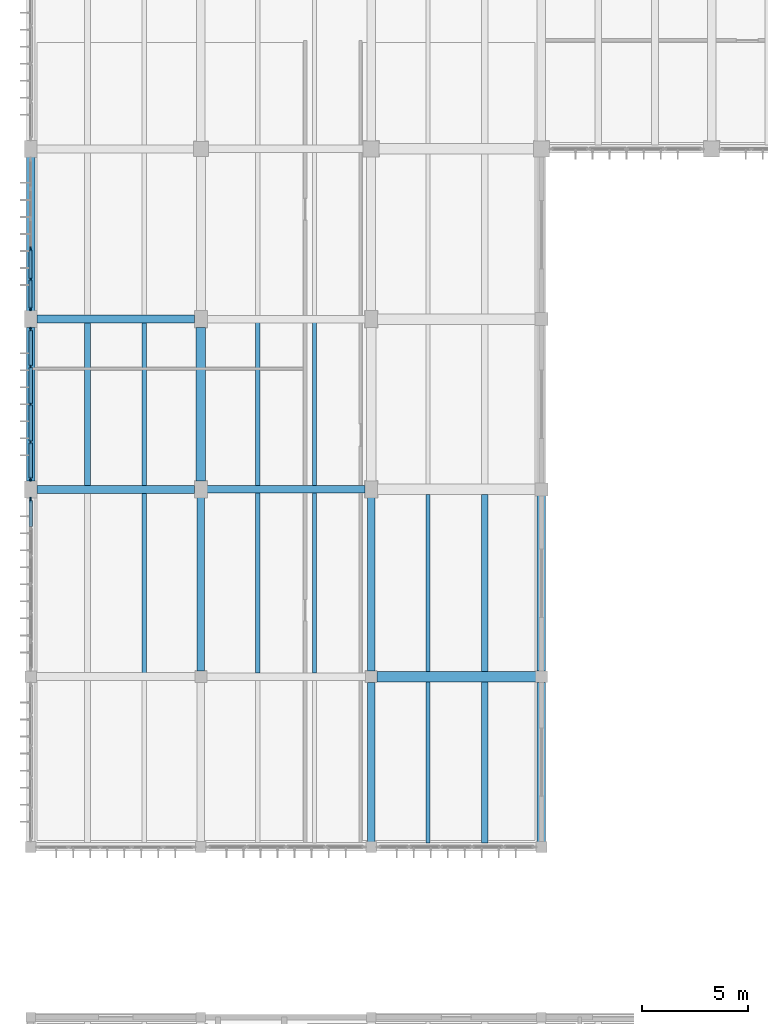
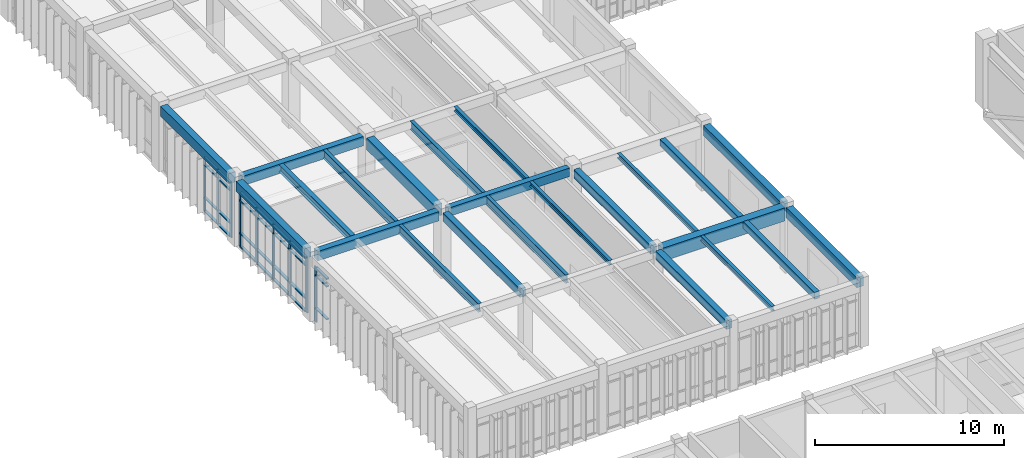
# One storey, part 8 of 79: 36 members, 23 beams, 3 elements without a shape of their own.
"""IFC4 building model written with IfcOpenShell, lengths in metres."""

from ifc_helpers import new_model, si_unit, direction, frame, origin, origin_2d, place, context, subcontext, project, spatial, rectangle, i_section, extrude, material, material_profile, profile_set, type_object, element, aggregate, save


model = new_model("IFC4")

# Units and contexts
model_context = context("Model", 3, precision=1e-05, world=origin(), true_north=direction((0.0, 1.0)))
body_context = subcontext(model_context, "Body", "Model", "MODEL_VIEW")
ifc_project = project(units=[si_unit("LENGTHUNIT", "METRE"), si_unit("AREAUNIT", "SQUARE_METRE"), si_unit("VOLUMEUNIT", "CUBIC_METRE"), si_unit("PLANEANGLEUNIT", "RADIAN"), si_unit("MASSUNIT", "GRAM", prefix="KILO")], contexts=[model_context])

# Site, building, storey
site_placement = place(None, origin())
site = spatial("IfcSite", under=ifc_project, at=site_placement, CompositionType="ELEMENT")
building_placement = place(site_placement, origin())
building = spatial("IfcBuilding", under=site, at=building_placement, Name="Tlaxcora Railside Police Headquarters", CompositionType="ELEMENT")
storey_placement = place(building_placement, frame((0.0, 0.0, 9.0)))
storey = spatial("IfcBuildingStorey", under=building, at=storey_placement, Name="L02", CompositionType="ELEMENT", Elevation=9.0)

# Curtain wall, member
ifc_material_1 = material(Name="Thermally broken low-E insulated glazing", Category="glass")
curtain_wall_type_1 = type_object("IfcCurtainWallType", Name="Unitised Curtain Wall Assembly CW-23", PredefinedType="NOTDEFINED", material=ifc_material_1)
curtain_wall_1_placement = place(storey_placement, origin())
curtain_wall_1 = element("IfcCurtainWall", 1, at=curtain_wall_1_placement, inside=storey, type_object=curtain_wall_type_1, Name="V5 L02 curtain wall 68", PredefinedType="NOTDEFINED")
ifc_material_2 = material(Name="Anodised aluminium framing", Category="aluminium")
ifc_material_profile_1 = material_profile(ifc_material_2, rectangle(XDim=0.080078125, YDim=0.219970703125, at=origin_2d()), Name="AL80X220")
ifc_profile_set_1 = profile_set([ifc_material_profile_1], Name="Anodised aluminium framing")
member_type_1 = type_object("IfcMemberType", Name="Curtain Wall Mullion CW-31", PredefinedType="MULLION", material=ifc_profile_set_1)
member_1_placement = place(storey_placement, frame((5.199951171875, 60.31005859375, 0.0), z_axis=(0.0, 0.0, 1.0), x_axis=(1.0, 0.0, 0.0)))
member_1 = element("IfcMember", 2, at=member_1_placement, type_object=member_type_1, Name="CW mullion 1", PredefinedType="MULLION", context=body_context, shape_type="SweptSolid", body=[
    extrude(rectangle(XDim=0.080078125, YDim=0.219970703125, at=origin_2d()), origin(), (0.0, 0.0, 1.0), 3.550048828125),
])

# Curtain wall, members
curtain_wall_type_2 = type_object("IfcCurtainWallType", Name="Unitised Curtain Wall Assembly CW-15", PredefinedType="NOTDEFINED", material=ifc_material_1)
curtain_wall_2_placement = place(storey_placement, origin())
curtain_wall_2 = element("IfcCurtainWall", 3, at=curtain_wall_2_placement, inside=storey, type_object=curtain_wall_type_2, Name="V5 L02 curtain wall 66", PredefinedType="NOTDEFINED")
ifc_material_profile_2 = material_profile(ifc_material_2, rectangle(XDim=0.074951171875, YDim=0.199951171875, at=origin_2d()), Name="AL75X200")
ifc_profile_set_2 = profile_set([ifc_material_profile_2], Name="Anodised aluminium framing")
member_type_2 = type_object("IfcMemberType", Name="Curtain Wall Mullion CW-58", PredefinedType="MULLION", material=ifc_profile_set_2)
member_2_placement = place(storey_placement, frame((5.199951171875, 72.090087890625, 0.0), z_axis=(0.0, 0.0, 1.0), x_axis=(1.0, 0.0, 0.0)))
member_2 = element("IfcMember", 4, at=member_2_placement, type_object=member_type_2, Name="CW mullion 4", PredefinedType="MULLION", context=body_context, shape_type="SweptSolid", body=[
    extrude(rectangle(XDim=0.074951171875, YDim=0.199951171875, at=origin_2d()), origin(), (0.0, 0.0, 1.0), 3.550048828125),
])
member_3_placement = place(storey_placement, frame((5.199951171875, 70.669921875, 0.0), z_axis=(0.0, 0.0, 1.0), x_axis=(1.0, 0.0, 0.0)))
member_3 = element("IfcMember", 5, at=member_3_placement, type_object=member_type_2, Name="CW mullion 5", PredefinedType="MULLION", context=body_context, shape_type="SweptSolid", body=[
    extrude(rectangle(XDim=0.074951171875, YDim=0.199951171875, at=origin_2d()), origin(), (0.0, 0.0, 1.0), 3.550048828125),
])
member_4_placement = place(storey_placement, frame((5.199951171875, 69.28759765625, 0.0), z_axis=(0.0, 0.0, 1.0), x_axis=(1.0, 0.0, 0.0)))
member_4 = element("IfcMember", 6, at=member_4_placement, type_object=member_type_2, Name="CW mullion 6", PredefinedType="MULLION", context=body_context, shape_type="SweptSolid", body=[
    extrude(rectangle(XDim=0.074951171875, YDim=0.199951171875, at=origin_2d()), origin(), (0.0, 0.0, 1.0), 3.550048828125),
])

curtain_wall_type_3 = type_object("IfcCurtainWallType", Name="Unitised Curtain Wall Assembly CW-83", PredefinedType="NOTDEFINED", material=ifc_material_1)
curtain_wall_3_placement = place(storey_placement, origin())
curtain_wall_3 = element("IfcCurtainWall", 7, at=curtain_wall_3_placement, inside=storey, type_object=curtain_wall_type_3, Name="V5 L02 curtain wall 67", PredefinedType="NOTDEFINED")
ifc_material_profile_3 = material_profile(ifc_material_2, rectangle(XDim=0.080078125, YDim=0.2099609375, at=origin_2d()), Name="AL80X210")
ifc_profile_set_3 = profile_set([ifc_material_profile_3], Name="Anodised aluminium framing")
member_type_3 = type_object("IfcMemberType", Name="Curtain Wall Mullion CW-76", PredefinedType="MULLION", material=ifc_profile_set_3)
member_5_placement = place(storey_placement, frame((5.199951171875, 68.31005859375, 0.0), z_axis=(0.0, 0.0, 1.0), x_axis=(1.0, 0.0, 0.0)))
member_5 = element("IfcMember", 8, at=member_5_placement, type_object=member_type_3, Name="CW mullion 1", PredefinedType="MULLION", context=body_context, shape_type="SweptSolid", body=[
    extrude(rectangle(XDim=0.080078125, YDim=0.2099609375, at=origin_2d()), origin(), (0.0, 0.0, 1.0), 3.550048828125),
])
member_6_placement = place(storey_placement, frame((5.199951171875, 66.574951171875, 0.0), z_axis=(0.0, 0.0, 1.0), x_axis=(1.0, 0.0, 0.0)))
member_6 = element("IfcMember", 9, at=member_6_placement, type_object=member_type_3, Name="CW mullion 2", PredefinedType="MULLION", context=body_context, shape_type="SweptSolid", body=[
    extrude(rectangle(XDim=0.080078125, YDim=0.2099609375, at=origin_2d()), origin(), (0.0, 0.0, 1.0), 3.550048828125),
])
member_7_placement = place(storey_placement, frame((5.199951171875, 64.800048828125, 0.0), z_axis=(0.0, 0.0, 1.0), x_axis=(1.0, 0.0, 0.0)))
member_7 = element("IfcMember", 10, at=member_7_placement, type_object=member_type_3, Name="CW mullion 3", PredefinedType="MULLION", context=body_context, shape_type="SweptSolid", body=[
    extrude(rectangle(XDim=0.080078125, YDim=0.2099609375, at=origin_2d()), origin(), (0.0, 0.0, 1.0), 3.550048828125),
])
member_8_placement = place(storey_placement, frame((5.199951171875, 63.02490234375, 0.0), z_axis=(0.0, 0.0, 1.0), x_axis=(1.0, 0.0, 0.0)))
member_8 = element("IfcMember", 11, at=member_8_placement, type_object=member_type_3, Name="CW mullion 4", PredefinedType="MULLION", context=body_context, shape_type="SweptSolid", body=[
    extrude(rectangle(XDim=0.080078125, YDim=0.2099609375, at=origin_2d()), origin(), (0.0, 0.0, 1.0), 3.550048828125),
])
member_9_placement = place(storey_placement, frame((5.199951171875, 61.2900390625, 0.0), z_axis=(0.0, 0.0, 1.0), x_axis=(1.0, 0.0, 0.0)))
member_9 = element("IfcMember", 12, at=member_9_placement, type_object=member_type_3, Name="CW mullion 5", PredefinedType="MULLION", context=body_context, shape_type="SweptSolid", body=[
    extrude(rectangle(XDim=0.080078125, YDim=0.2099609375, at=origin_2d()), origin(), (0.0, 0.0, 1.0), 3.550048828125),
])

# Member
ifc_material_profile_4 = material_profile(ifc_material_2, rectangle(XDim=0.14990234375, YDim=0.074951171875, at=origin_2d()), Name="AL75X150")
ifc_profile_set_4 = profile_set([ifc_material_profile_4], Name="Anodised aluminium framing")
member_type_4 = type_object("IfcMemberType", Name="Curtain Wall Transom CW-28", PredefinedType="USERDEFINED", material=ifc_profile_set_4)
member_10_placement = place(storey_placement, frame((5.199951171875, 72.052490234375, 0.03759765625), z_axis=(0.0, -1.0, 0.0), x_axis=(1.0, 0.0, 0.0)))
member_10 = element("IfcMember", 13, at=member_10_placement, type_object=member_type_4, Name="CW transom 4.1", ObjectType="TRANSOM", PredefinedType="USERDEFINED", context=body_context, shape_type="SweptSolid", body=[
    extrude(rectangle(XDim=0.14990234375, YDim=0.074951171875, at=origin_2d()), origin(), (0.0, 0.0, 1.0), 1.344970703125),
])

member_11_placement = place(storey_placement, frame((5.199951171875, 72.052490234375, 0.89990234375), z_axis=(0.0, -1.0, 0.0), x_axis=(1.0, 0.0, 0.0)))
member_11 = element("IfcMember", 14, at=member_11_placement, type_object=member_type_4, Name="CW transom 4.2", ObjectType="TRANSOM", PredefinedType="USERDEFINED", context=body_context, shape_type="SweptSolid", body=[
    extrude(rectangle(XDim=0.14990234375, YDim=0.074951171875, at=origin_2d()), origin(), (0.0, 0.0, 1.0), 1.344970703125),
])

member_12_placement = place(storey_placement, frame((5.199951171875, 72.052490234375, 3.02001953125), z_axis=(0.0, -1.0, 0.0), x_axis=(1.0, 0.0, 0.0)))
member_12 = element("IfcMember", 15, at=member_12_placement, type_object=member_type_4, Name="CW transom 4.3", ObjectType="TRANSOM", PredefinedType="USERDEFINED", context=body_context, shape_type="SweptSolid", body=[
    extrude(rectangle(XDim=0.14990234375, YDim=0.074951171875, at=origin_2d()), origin(), (0.0, 0.0, 1.0), 1.344970703125),
])

member_13_placement = place(storey_placement, frame((5.199951171875, 72.052490234375, 3.512451171875), z_axis=(0.0, -1.0, 0.0), x_axis=(1.0, 0.0, 0.0)))
member_13 = element("IfcMember", 16, at=member_13_placement, type_object=member_type_4, Name="CW transom 4.4", ObjectType="TRANSOM", PredefinedType="USERDEFINED", context=body_context, shape_type="SweptSolid", body=[
    extrude(rectangle(XDim=0.14990234375, YDim=0.074951171875, at=origin_2d()), origin(), (0.0, 0.0, 1.0), 1.344970703125),
])

member_14_placement = place(storey_placement, frame((5.199951171875, 70.632568359375, 0.03759765625), z_axis=(0.0, -1.0, 0.0), x_axis=(1.0, 0.0, 0.0)))
member_14 = element("IfcMember", 17, at=member_14_placement, type_object=member_type_4, Name="CW transom 5.1", ObjectType="TRANSOM", PredefinedType="USERDEFINED", context=body_context, shape_type="SweptSolid", body=[
    extrude(rectangle(XDim=0.14990234375, YDim=0.074951171875, at=origin_2d()), origin(), (0.0, 0.0, 1.0), 1.3076171875),
])

member_15_placement = place(storey_placement, frame((5.199951171875, 70.632568359375, 0.89990234375), z_axis=(0.0, -1.0, 0.0), x_axis=(1.0, 0.0, 0.0)))
member_15 = element("IfcMember", 18, at=member_15_placement, type_object=member_type_4, Name="CW transom 5.2", ObjectType="TRANSOM", PredefinedType="USERDEFINED", context=body_context, shape_type="SweptSolid", body=[
    extrude(rectangle(XDim=0.14990234375, YDim=0.074951171875, at=origin_2d()), origin(), (0.0, 0.0, 1.0), 1.3076171875),
])

member_16_placement = place(storey_placement, frame((5.199951171875, 70.632568359375, 3.02001953125), z_axis=(0.0, -1.0, 0.0), x_axis=(1.0, 0.0, 0.0)))
member_16 = element("IfcMember", 19, at=member_16_placement, type_object=member_type_4, Name="CW transom 5.3", ObjectType="TRANSOM", PredefinedType="USERDEFINED", context=body_context, shape_type="SweptSolid", body=[
    extrude(rectangle(XDim=0.14990234375, YDim=0.074951171875, at=origin_2d()), origin(), (0.0, 0.0, 1.0), 1.3076171875),
])

member_17_placement = place(storey_placement, frame((5.199951171875, 70.632568359375, 3.512451171875), z_axis=(0.0, -1.0, 0.0), x_axis=(1.0, 0.0, 0.0)))
member_17 = element("IfcMember", 20, at=member_17_placement, type_object=member_type_4, Name="CW transom 5.4", ObjectType="TRANSOM", PredefinedType="USERDEFINED", context=body_context, shape_type="SweptSolid", body=[
    extrude(rectangle(XDim=0.14990234375, YDim=0.074951171875, at=origin_2d()), origin(), (0.0, 0.0, 1.0), 1.3076171875),
])

aggregate(curtain_wall_2, [member_2, member_3, member_4, member_10, member_11, member_12, member_13, member_14, member_15, member_16, member_17])

ifc_material_profile_5 = material_profile(ifc_material_2, rectangle(XDim=0.1650390625, YDim=0.080078125, at=origin_2d()), Name="AL80X165")
ifc_profile_set_5 = profile_set([ifc_material_profile_5], Name="Anodised aluminium framing")
member_type_5 = type_object("IfcMemberType", Name="Curtain Wall Transom CW-62", PredefinedType="USERDEFINED", material=ifc_profile_set_5)
member_18_placement = place(storey_placement, frame((5.199951171875, 60.27001953125, 0.89990234375), z_axis=(0.0, -1.0, 0.0), x_axis=(1.0, 0.0, 0.0)))
member_18 = element("IfcMember", 21, at=member_18_placement, type_object=member_type_5, Name="CW transom 1.2", ObjectType="TRANSOM", PredefinedType="USERDEFINED", context=body_context, shape_type="SweptSolid", body=[
    extrude(rectangle(XDim=0.1650390625, YDim=0.080078125, at=origin_2d()), origin(), (0.0, 0.0, 1.0), 1.217529296875),
])

member_19_placement = place(storey_placement, frame((5.199951171875, 60.27001953125, 3.02001953125), z_axis=(0.0, -1.0, 0.0), x_axis=(1.0, 0.0, 0.0)))
member_19 = element("IfcMember", 22, at=member_19_placement, type_object=member_type_5, Name="CW transom 1.3", ObjectType="TRANSOM", PredefinedType="USERDEFINED", context=body_context, shape_type="SweptSolid", body=[
    extrude(rectangle(XDim=0.1650390625, YDim=0.080078125, at=origin_2d()), origin(), (0.0, 0.0, 1.0), 1.217529296875),
])

member_20_placement = place(storey_placement, frame((5.199951171875, 60.27001953125, 3.510009765625), z_axis=(0.0, -1.0, 0.0), x_axis=(1.0, 0.0, 0.0)))
member_20 = element("IfcMember", 23, at=member_20_placement, type_object=member_type_5, Name="CW transom 1.4", ObjectType="TRANSOM", PredefinedType="USERDEFINED", context=body_context, shape_type="SweptSolid", body=[
    extrude(rectangle(XDim=0.1650390625, YDim=0.080078125, at=origin_2d()), origin(), (0.0, 0.0, 1.0), 1.217529296875),
])

aggregate(curtain_wall_1, [member_1, member_18, member_19, member_20])

ifc_material_profile_6 = material_profile(ifc_material_2, rectangle(XDim=0.159912109375, YDim=0.080078125, at=origin_2d()), Name="AL80X160")
ifc_profile_set_6 = profile_set([ifc_material_profile_6], Name="Anodised aluminium framing")
member_type_6 = type_object("IfcMemberType", Name="Curtain Wall Transom CW-82", PredefinedType="USERDEFINED", material=ifc_profile_set_6)
member_21_placement = place(storey_placement, frame((5.199951171875, 68.27001953125, 0.0400390625), z_axis=(0.0, -1.0, 0.0), x_axis=(1.0, 0.0, 0.0)))
member_21 = element("IfcMember", 24, at=member_21_placement, type_object=member_type_6, Name="CW transom 1.1", ObjectType="TRANSOM", PredefinedType="USERDEFINED", context=body_context, shape_type="SweptSolid", body=[
    extrude(rectangle(XDim=0.159912109375, YDim=0.080078125, at=origin_2d()), origin(), (0.0, 0.0, 1.0), 1.655029296875),
])

member_22_placement = place(storey_placement, frame((5.199951171875, 68.27001953125, 0.89990234375), z_axis=(0.0, -1.0, 0.0), x_axis=(1.0, 0.0, 0.0)))
member_22 = element("IfcMember", 25, at=member_22_placement, type_object=member_type_6, Name="CW transom 1.2", ObjectType="TRANSOM", PredefinedType="USERDEFINED", context=body_context, shape_type="SweptSolid", body=[
    extrude(rectangle(XDim=0.159912109375, YDim=0.080078125, at=origin_2d()), origin(), (0.0, 0.0, 1.0), 1.655029296875),
])

member_23_placement = place(storey_placement, frame((5.199951171875, 68.27001953125, 3.02001953125), z_axis=(0.0, -1.0, 0.0), x_axis=(1.0, 0.0, 0.0)))
member_23 = element("IfcMember", 26, at=member_23_placement, type_object=member_type_6, Name="CW transom 1.3", ObjectType="TRANSOM", PredefinedType="USERDEFINED", context=body_context, shape_type="SweptSolid", body=[
    extrude(rectangle(XDim=0.159912109375, YDim=0.080078125, at=origin_2d()), origin(), (0.0, 0.0, 1.0), 1.655029296875),
])

member_24_placement = place(storey_placement, frame((5.199951171875, 68.27001953125, 3.510009765625), z_axis=(0.0, -1.0, 0.0), x_axis=(1.0, 0.0, 0.0)))
member_24 = element("IfcMember", 27, at=member_24_placement, type_object=member_type_6, Name="CW transom 1.4", ObjectType="TRANSOM", PredefinedType="USERDEFINED", context=body_context, shape_type="SweptSolid", body=[
    extrude(rectangle(XDim=0.159912109375, YDim=0.080078125, at=origin_2d()), origin(), (0.0, 0.0, 1.0), 1.655029296875),
])

member_25_placement = place(storey_placement, frame((5.199951171875, 66.534912109375, 0.0400390625), z_axis=(0.0, -1.0, 0.0), x_axis=(1.0, 0.0, 0.0)))
member_25 = element("IfcMember", 28, at=member_25_placement, type_object=member_type_6, Name="CW transom 2.1", ObjectType="TRANSOM", PredefinedType="USERDEFINED", context=body_context, shape_type="SweptSolid", body=[
    extrude(rectangle(XDim=0.159912109375, YDim=0.080078125, at=origin_2d()), origin(), (0.0, 0.0, 1.0), 1.69482421875),
])

member_26_placement = place(storey_placement, frame((5.199951171875, 66.534912109375, 0.89990234375), z_axis=(0.0, -1.0, 0.0), x_axis=(1.0, 0.0, 0.0)))
member_26 = element("IfcMember", 29, at=member_26_placement, type_object=member_type_6, Name="CW transom 2.2", ObjectType="TRANSOM", PredefinedType="USERDEFINED", context=body_context, shape_type="SweptSolid", body=[
    extrude(rectangle(XDim=0.159912109375, YDim=0.080078125, at=origin_2d()), origin(), (0.0, 0.0, 1.0), 1.69482421875),
])

member_27_placement = place(storey_placement, frame((5.199951171875, 66.534912109375, 3.02001953125), z_axis=(0.0, -1.0, 0.0), x_axis=(1.0, 0.0, 0.0)))
member_27 = element("IfcMember", 30, at=member_27_placement, type_object=member_type_6, Name="CW transom 2.3", ObjectType="TRANSOM", PredefinedType="USERDEFINED", context=body_context, shape_type="SweptSolid", body=[
    extrude(rectangle(XDim=0.159912109375, YDim=0.080078125, at=origin_2d()), origin(), (0.0, 0.0, 1.0), 1.69482421875),
])

member_28_placement = place(storey_placement, frame((5.199951171875, 66.534912109375, 3.510009765625), z_axis=(0.0, -1.0, 0.0), x_axis=(1.0, 0.0, 0.0)))
member_28 = element("IfcMember", 31, at=member_28_placement, type_object=member_type_6, Name="CW transom 2.4", ObjectType="TRANSOM", PredefinedType="USERDEFINED", context=body_context, shape_type="SweptSolid", body=[
    extrude(rectangle(XDim=0.159912109375, YDim=0.080078125, at=origin_2d()), origin(), (0.0, 0.0, 1.0), 1.69482421875),
])

member_29_placement = place(storey_placement, frame((5.199951171875, 64.760009765625, 0.0400390625), z_axis=(0.0, -1.0, 0.0), x_axis=(1.0, 0.0, 0.0)))
member_29 = element("IfcMember", 32, at=member_29_placement, type_object=member_type_6, Name="CW transom 3.1", ObjectType="TRANSOM", PredefinedType="USERDEFINED", context=body_context, shape_type="SweptSolid", body=[
    extrude(rectangle(XDim=0.159912109375, YDim=0.080078125, at=origin_2d()), origin(), (0.0, 0.0, 1.0), 1.695068359375),
])

member_30_placement = place(storey_placement, frame((5.199951171875, 64.760009765625, 0.89990234375), z_axis=(0.0, -1.0, 0.0), x_axis=(1.0, 0.0, 0.0)))
member_30 = element("IfcMember", 33, at=member_30_placement, type_object=member_type_6, Name="CW transom 3.2", ObjectType="TRANSOM", PredefinedType="USERDEFINED", context=body_context, shape_type="SweptSolid", body=[
    extrude(rectangle(XDim=0.159912109375, YDim=0.080078125, at=origin_2d()), origin(), (0.0, 0.0, 1.0), 1.695068359375),
])

member_31_placement = place(storey_placement, frame((5.199951171875, 64.760009765625, 3.02001953125), z_axis=(0.0, -1.0, 0.0), x_axis=(1.0, 0.0, 0.0)))
member_31 = element("IfcMember", 34, at=member_31_placement, type_object=member_type_6, Name="CW transom 3.3", ObjectType="TRANSOM", PredefinedType="USERDEFINED", context=body_context, shape_type="SweptSolid", body=[
    extrude(rectangle(XDim=0.159912109375, YDim=0.080078125, at=origin_2d()), origin(), (0.0, 0.0, 1.0), 1.695068359375),
])

member_32_placement = place(storey_placement, frame((5.199951171875, 64.760009765625, 3.510009765625), z_axis=(0.0, -1.0, 0.0), x_axis=(1.0, 0.0, 0.0)))
member_32 = element("IfcMember", 35, at=member_32_placement, type_object=member_type_6, Name="CW transom 3.4", ObjectType="TRANSOM", PredefinedType="USERDEFINED", context=body_context, shape_type="SweptSolid", body=[
    extrude(rectangle(XDim=0.159912109375, YDim=0.080078125, at=origin_2d()), origin(), (0.0, 0.0, 1.0), 1.695068359375),
])

member_33_placement = place(storey_placement, frame((5.199951171875, 62.985107421875, 0.0400390625), z_axis=(0.0, -1.0, 0.0), x_axis=(1.0, 0.0, 0.0)))
member_33 = element("IfcMember", 36, at=member_33_placement, type_object=member_type_6, Name="CW transom 4.1", ObjectType="TRANSOM", PredefinedType="USERDEFINED", context=body_context, shape_type="SweptSolid", body=[
    extrude(rectangle(XDim=0.159912109375, YDim=0.080078125, at=origin_2d()), origin(), (0.0, 0.0, 1.0), 1.655029296875),
])

member_34_placement = place(storey_placement, frame((5.199951171875, 62.985107421875, 0.89990234375), z_axis=(0.0, -1.0, 0.0), x_axis=(1.0, 0.0, 0.0)))
member_34 = element("IfcMember", 37, at=member_34_placement, type_object=member_type_6, Name="CW transom 4.2", ObjectType="TRANSOM", PredefinedType="USERDEFINED", context=body_context, shape_type="SweptSolid", body=[
    extrude(rectangle(XDim=0.159912109375, YDim=0.080078125, at=origin_2d()), origin(), (0.0, 0.0, 1.0), 1.655029296875),
])

member_35_placement = place(storey_placement, frame((5.199951171875, 62.985107421875, 3.02001953125), z_axis=(0.0, -1.0, 0.0), x_axis=(1.0, 0.0, 0.0)))
member_35 = element("IfcMember", 38, at=member_35_placement, type_object=member_type_6, Name="CW transom 4.3", ObjectType="TRANSOM", PredefinedType="USERDEFINED", context=body_context, shape_type="SweptSolid", body=[
    extrude(rectangle(XDim=0.159912109375, YDim=0.080078125, at=origin_2d()), origin(), (0.0, 0.0, 1.0), 1.655029296875),
])

member_36_placement = place(storey_placement, frame((5.199951171875, 62.985107421875, 3.510009765625), z_axis=(0.0, -1.0, 0.0), x_axis=(1.0, 0.0, 0.0)))
member_36 = element("IfcMember", 39, at=member_36_placement, type_object=member_type_6, Name="CW transom 4.4", ObjectType="TRANSOM", PredefinedType="USERDEFINED", context=body_context, shape_type="SweptSolid", body=[
    extrude(rectangle(XDim=0.159912109375, YDim=0.080078125, at=origin_2d()), origin(), (0.0, 0.0, 1.0), 1.655029296875),
])

aggregate(curtain_wall_3, [member_5, member_6, member_7, member_8, member_9, member_21, member_22, member_23, member_24, member_25, member_26, member_27, member_28, member_29, member_30, member_31, member_32, member_33, member_34, member_35, member_36])

# Beams
ifc_material_3 = material(Name="Concrete C40/50", Category="concrete")
ifc_material_profile_7 = material_profile(ifc_material_3, rectangle(XDim=0.39990234375, YDim=0.64990234375, at=origin_2d()), Name="RC400X650")
ifc_profile_set_7 = profile_set([ifc_material_profile_7], Name="Concrete C40/50")
beam_type_1 = type_object("IfcBeamType", Name="Perimeter Spandrel Beam BM-46", PredefinedType="SPANDREL", material=ifc_profile_set_7)
for number, where, z_axis, x_axis, name in (
    (40, (5.199951171875, 61.18994140625, 3.89501953125), (0.0, 1.0, 0.0), (-1.0, 0.0, 0.0), "V5 L02 Y-girder X=5.2"),
    (41, (5.199951171875, 69.18994140625, 3.89501953125), (0.0, 1.0, 0.0), (-1.0, 0.0, 0.0), "V5 L02 Y-girder X=5.2"),
):
    element("IfcBeam", number, at=place(storey_placement, frame(where, z_axis=z_axis, x_axis=x_axis)), inside=storey, type_object=beam_type_1, Name=name, PredefinedType="SPANDREL", context=body_context, shape_type="SweptSolid", body=[
        extrude(rectangle(XDim=0.39990234375, YDim=0.64990234375, at=origin_2d()), origin(), (0.0, 0.0, 1.0), 7.219970703125),
    ])
beam_1_placement = place(storey_placement, frame((29.199951171875, 44.239990234375, 3.89501953125), z_axis=(0.0, 1.0, 0.0), x_axis=(-1.0, 0.0, 0.0)))
element("IfcBeam", 42, at=beam_1_placement, inside=storey, type_object=beam_type_1, Name="V5 L02 Y-girder X=29.2", PredefinedType="SPANDREL", context=body_context, shape_type="SweptSolid", body=[
    extrude(rectangle(XDim=0.39990234375, YDim=0.64990234375, at=origin_2d()), origin(), (0.0, 0.0, 1.0), 7.4951171875),
])
beam_2_placement = place(storey_placement, frame((29.199951171875, 52.264892578125, 3.89501953125), z_axis=(0.0, 1.0, 0.0), x_axis=(-1.0, 0.0, 0.0)))
element("IfcBeam", 43, at=beam_2_placement, inside=storey, type_object=beam_type_1, Name="V5 L02 Y-girder X=29.2", PredefinedType="SPANDREL", context=body_context, shape_type="SweptSolid", body=[
    extrude(rectangle(XDim=0.39990234375, YDim=0.64990234375, at=origin_2d()), origin(), (0.0, 0.0, 1.0), 8.2451171875),
])
ifc_material_profile_8 = material_profile(ifc_material_3, rectangle(XDim=0.3798828125, YDim=0.60009765625, at=origin_2d()), Name="RC380X600")
ifc_profile_set_8 = profile_set([ifc_material_profile_8], Name="Concrete C40/50")
beam_type_2 = type_object("IfcBeamType", Name="Primary Frame Girder BM-22", PredefinedType="BEAM", material=ifc_profile_set_8)
for number, where, z_axis, x_axis, name in (
    (44, (5.489990234375, 60.800048828125, 3.919921875), (1.0, 0.0, 0.0), (0.0, 1.0, 0.0), "V5 L02 X-girder Y=60.8"),
    (45, (5.489990234375, 68.800048828125, 3.919921875), (1.0, 0.0, 0.0), (0.0, 1.0, 0.0), "V5 L02 X-girder Y=68.8"),
):
    element("IfcBeam", number, at=place(storey_placement, frame(where, z_axis=z_axis, x_axis=x_axis)), inside=storey, type_object=beam_type_2, Name=name, PredefinedType="BEAM", context=body_context, shape_type="SweptSolid", body=[
        extrude(rectangle(XDim=0.3798828125, YDim=0.60009765625, at=origin_2d()), origin(), (0.0, 0.0, 1.0), 7.419921875),
    ])
ifc_material_profile_9 = material_profile(ifc_material_3, rectangle(XDim=0.35009765625, YDim=0.550048828125, at=origin_2d()), Name="RC350X550")
ifc_profile_set_9 = profile_set([ifc_material_profile_9], Name="Concrete C40/50")
beam_type_3 = type_object("IfcBeamType", Name="Primary Frame Girder BM-39", PredefinedType="BEAM", material=ifc_profile_set_9)
beam_3_placement = place(storey_placement, frame((13.489990234375, 60.800048828125, 3.945068359375), z_axis=(1.0, 0.0, 0.0), x_axis=(0.0, 1.0, 0.0)))
element("IfcBeam", 46, at=beam_3_placement, inside=storey, type_object=beam_type_3, Name="V5 L02 X-girder Y=60.8", PredefinedType="BEAM", context=body_context, shape_type="SweptSolid", body=[
    extrude(rectangle(XDim=0.35009765625, YDim=0.550048828125, at=origin_2d()), origin(), (0.0, 0.0, 1.0), 7.419921875),
])
beam_4_placement = place(storey_placement, frame((13.199951171875, 52.264892578125, 3.945068359375), z_axis=(0.0, 1.0, 0.0), x_axis=(-1.0, 0.0, 0.0)))
element("IfcBeam", 47, at=beam_4_placement, inside=storey, type_object=beam_type_3, Name="V5 L02 Y-girder X=13.2", PredefinedType="BEAM", context=body_context, shape_type="SweptSolid", body=[
    extrude(rectangle(XDim=0.35009765625, YDim=0.550048828125, at=origin_2d()), origin(), (0.0, 0.0, 1.0), 8.14501953125),
])
beam_5_placement = place(storey_placement, frame((21.199951171875, 44.239990234375, 3.945068359375), z_axis=(0.0, 1.0, 0.0), x_axis=(-1.0, 0.0, 0.0)))
element("IfcBeam", 48, at=beam_5_placement, inside=storey, type_object=beam_type_3, Name="V5 L02 Y-girder X=21.2", PredefinedType="BEAM", context=body_context, shape_type="SweptSolid", body=[
    extrude(rectangle(XDim=0.35009765625, YDim=0.550048828125, at=origin_2d()), origin(), (0.0, 0.0, 1.0), 7.4951171875),
])
beam_6_placement = place(storey_placement, frame((21.199951171875, 52.264892578125, 3.945068359375), z_axis=(0.0, 1.0, 0.0), x_axis=(-1.0, 0.0, 0.0)))
element("IfcBeam", 49, at=beam_6_placement, inside=storey, type_object=beam_type_3, Name="V5 L02 Y-girder X=21.2", PredefinedType="BEAM", context=body_context, shape_type="SweptSolid", body=[
    extrude(rectangle(XDim=0.35009765625, YDim=0.550048828125, at=origin_2d()), origin(), (0.0, 0.0, 1.0), 8.14501953125),
])
ifc_material_profile_10 = material_profile(ifc_material_3, rectangle(XDim=0.5, YDim=0.85009765625, at=origin_2d()), Name="RC500X850")
ifc_profile_set_10 = profile_set([ifc_material_profile_10], Name="Concrete C40/50")
beam_type_4 = type_object("IfcBeamType", Name="Primary Frame Girder BM-64", PredefinedType="BEAM", material=ifc_profile_set_10)
beam_7_placement = place(storey_placement, frame((21.465087890625, 52.0, 3.794921875), z_axis=(1.0, 0.0, 0.0), x_axis=(0.0, 1.0, 0.0)))
element("IfcBeam", 50, at=beam_7_placement, inside=storey, type_object=beam_type_4, Name="V5 L02 X-girder Y=52.0", PredefinedType="BEAM", context=body_context, shape_type="SweptSolid", body=[
    extrude(rectangle(XDim=0.5, YDim=0.85009765625, at=origin_2d()), origin(), (0.0, 0.0, 1.0), 7.469970703125),
])
ifc_material_profile_11 = material_profile(ifc_material_3, rectangle(XDim=0.449951171875, YDim=0.75, at=origin_2d()), Name="RC450X750")
ifc_profile_set_11 = profile_set([ifc_material_profile_11], Name="Concrete C40/50")
beam_type_5 = type_object("IfcBeamType", Name="Primary Frame Girder BM-73", PredefinedType="BEAM", material=ifc_profile_set_11)
beam_8_placement = place(storey_placement, frame((13.199951171875, 61.18994140625, 3.844970703125), z_axis=(0.0, 1.0, 0.0), x_axis=(-1.0, 0.0, 0.0)))
element("IfcBeam", 51, at=beam_8_placement, inside=storey, type_object=beam_type_5, Name="V5 L02 Y-girder X=13.2", PredefinedType="BEAM", context=body_context, shape_type="SweptSolid", body=[
    extrude(rectangle(XDim=0.449951171875, YDim=0.75, at=origin_2d()), origin(), (0.0, 0.0, 1.0), 7.219970703125),
])
ifc_material_4 = material(Name="Concrete C35/45", Category="concrete")
ifc_material_profile_12 = material_profile(ifc_material_4, rectangle(XDim=0.300048828125, YDim=0.449951171875, at=origin_2d()), Name="RC300X450")
ifc_profile_set_12 = profile_set([ifc_material_profile_12], Name="Concrete C35/45")
beam_type_6 = type_object("IfcBeamType", Name="Secondary Floor Joist BM-27", PredefinedType="JOIST", material=ifc_profile_set_12)
beam_9_placement = place(storey_placement, frame((26.533203125, 44.19189453125, 3.9951171875), z_axis=(0.0, 1.0, 0.0), x_axis=(-1.0, 0.0, 0.0)))
element("IfcBeam", 52, at=beam_9_placement, inside=storey, type_object=beam_type_6, Name="V5 L02 floor joist X=26.53", PredefinedType="JOIST", context=body_context, shape_type="SweptSolid", body=[
    extrude(rectangle(XDim=0.300048828125, YDim=0.449951171875, at=origin_2d()), origin(), (0.0, 0.0, 1.0), 7.566162109375),
])
beam_10_placement = place(storey_placement, frame((26.533203125, 52.241943359375, 3.9951171875), z_axis=(0.0, 1.0, 0.0), x_axis=(-1.0, 0.0, 0.0)))
element("IfcBeam", 53, at=beam_10_placement, inside=storey, type_object=beam_type_6, Name="V5 L02 floor joist X=26.53", PredefinedType="JOIST", context=body_context, shape_type="SweptSolid", body=[
    extrude(rectangle(XDim=0.300048828125, YDim=0.449951171875, at=origin_2d()), origin(), (0.0, 0.0, 1.0), 8.316162109375),
])
ifc_material_5 = material(Name="Steel ASTM A992 Grade 50", Category="steel")
ifc_material_profile_13 = material_profile(ifc_material_5, i_section(OverallWidth=0.280029296875, OverallDepth=0.4619140625, WebThickness=0.0107421875, FlangeThickness=0.017333984375, at=origin_2d()), Name="W18X76")
ifc_profile_set_13 = profile_set([ifc_material_profile_13], Name="Steel ASTM A992 Grade 50")
beam_type_7 = type_object("IfcBeamType", Name="Secondary Floor Joist BM-44", PredefinedType="JOIST", material=ifc_profile_set_13)
beam_11_placement = place(storey_placement, frame((7.86669921875, 60.98193359375, 3.989013671875), z_axis=(0.0, 1.0, 0.0), x_axis=(-1.0, 0.0, 0.0)))
element("IfcBeam", 54, at=beam_11_placement, inside=storey, type_object=beam_type_7, Name="V5 L02 floor joist X=7.87", PredefinedType="JOIST", context=body_context, shape_type="SweptSolid", body=[
    extrude(i_section(OverallWidth=0.280029296875, OverallDepth=0.4619140625, WebThickness=0.0107421875, FlangeThickness=0.017333984375, at=origin_2d()), origin(), (0.0, 0.0, 1.0), 7.635986328125),
])
ifc_material_profile_14 = material_profile(ifc_material_5, i_section(OverallWidth=0.202880859375, OverallDepth=0.302978515625, WebThickness=0.007568359375, FlangeThickness=0.01318359375, at=origin_2d()), Name="W12X40")
ifc_profile_set_14 = profile_set([ifc_material_profile_14], Name="Steel ASTM A992 Grade 50")
beam_type_8 = type_object("IfcBeamType", Name="Secondary Floor Joist BM-96", PredefinedType="JOIST", material=ifc_profile_set_14)
beam_12_placement = place(storey_placement, frame((23.86669921875, 44.19189453125, 4.068603515625), z_axis=(0.0, 1.0, 0.0), x_axis=(-1.0, 0.0, 0.0)))
element("IfcBeam", 55, at=beam_12_placement, inside=storey, type_object=beam_type_8, Name="V5 L02 floor joist X=23.87", PredefinedType="JOIST", context=body_context, shape_type="SweptSolid", body=[
    extrude(i_section(OverallWidth=0.202880859375, OverallDepth=0.302978515625, WebThickness=0.007568359375, FlangeThickness=0.01318359375, at=origin_2d()), origin(), (0.0, 0.0, 1.0), 7.566162109375),
])
beam_13_placement = place(storey_placement, frame((18.533203125, 52.1669921875, 4.068603515625), z_axis=(0.0, 1.0, 0.0), x_axis=(-1.0, 0.0, 0.0)))
element("IfcBeam", 56, at=beam_13_placement, inside=storey, type_object=beam_type_8, Name="V5 L02 floor joist X=18.53", PredefinedType="JOIST", context=body_context, shape_type="SweptSolid", body=[
    extrude(i_section(OverallWidth=0.202880859375, OverallDepth=0.302978515625, WebThickness=0.007568359375, FlangeThickness=0.01318359375, at=origin_2d()), origin(), (0.0, 0.0, 1.0), 8.466064453125),
])
beam_14_placement = place(storey_placement, frame((23.86669921875, 52.241943359375, 4.068603515625), z_axis=(0.0, 1.0, 0.0), x_axis=(-1.0, 0.0, 0.0)))
element("IfcBeam", 57, at=beam_14_placement, inside=storey, type_object=beam_type_8, Name="V5 L02 floor joist X=23.87", PredefinedType="JOIST", context=body_context, shape_type="SweptSolid", body=[
    extrude(i_section(OverallWidth=0.202880859375, OverallDepth=0.302978515625, WebThickness=0.007568359375, FlangeThickness=0.01318359375, at=origin_2d()), origin(), (0.0, 0.0, 1.0), 8.316162109375),
])
beam_15_placement = place(storey_placement, frame((18.533203125, 60.967041015625, 4.068603515625), z_axis=(0.0, 1.0, 0.0), x_axis=(-1.0, 0.0, 0.0)))
element("IfcBeam", 58, at=beam_15_placement, inside=storey, type_object=beam_type_8, Name="V5 L02 floor joist X=18.53", PredefinedType="JOIST", context=body_context, shape_type="SweptSolid", body=[
    extrude(i_section(OverallWidth=0.202880859375, OverallDepth=0.302978515625, WebThickness=0.007568359375, FlangeThickness=0.01318359375, at=origin_2d()), origin(), (0.0, 0.0, 1.0), 7.666015625),
])
ifc_material_profile_15 = material_profile(ifc_material_5, i_section(OverallWidth=0.214111328125, OverallDepth=0.549072265625, WebThickness=0.0146484375, FlangeThickness=0.023681640625, at=origin_2d()), Name="W21X93")
ifc_profile_set_15 = profile_set([ifc_material_profile_15], Name="Steel ASTM A992 Grade 50")
beam_type_9 = type_object("IfcBeamType", Name="Secondary Floor Joist BM-97", PredefinedType="JOIST", material=ifc_profile_set_15)
beam_16_placement = place(storey_placement, frame((10.533203125, 52.181884765625, 3.945556640625), z_axis=(0.0, 1.0, 0.0), x_axis=(-1.0, 0.0, 0.0)))
element("IfcBeam", 59, at=beam_16_placement, inside=storey, type_object=beam_type_9, Name="V5 L02 floor joist X=10.53", PredefinedType="JOIST", context=body_context, shape_type="SweptSolid", body=[
    extrude(i_section(OverallWidth=0.214111328125, OverallDepth=0.549072265625, WebThickness=0.0146484375, FlangeThickness=0.023681640625, at=origin_2d()), origin(), (0.0, 0.0, 1.0), 8.43603515625),
])
beam_17_placement = place(storey_placement, frame((15.86669921875, 52.1669921875, 3.945556640625), z_axis=(0.0, 1.0, 0.0), x_axis=(-1.0, 0.0, 0.0)))
element("IfcBeam", 60, at=beam_17_placement, inside=storey, type_object=beam_type_9, Name="V5 L02 floor joist X=15.87", PredefinedType="JOIST", context=body_context, shape_type="SweptSolid", body=[
    extrude(i_section(OverallWidth=0.214111328125, OverallDepth=0.549072265625, WebThickness=0.0146484375, FlangeThickness=0.023681640625, at=origin_2d()), origin(), (0.0, 0.0, 1.0), 8.466064453125),
])
beam_18_placement = place(storey_placement, frame((10.533203125, 60.98193359375, 3.945556640625), z_axis=(0.0, 1.0, 0.0), x_axis=(-1.0, 0.0, 0.0)))
element("IfcBeam", 61, at=beam_18_placement, inside=storey, type_object=beam_type_9, Name="V5 L02 floor joist X=10.53", PredefinedType="JOIST", context=body_context, shape_type="SweptSolid", body=[
    extrude(i_section(OverallWidth=0.214111328125, OverallDepth=0.549072265625, WebThickness=0.0146484375, FlangeThickness=0.023681640625, at=origin_2d()), origin(), (0.0, 0.0, 1.0), 7.635986328125),
])
beam_19_placement = place(storey_placement, frame((15.86669921875, 60.967041015625, 3.945556640625), z_axis=(0.0, 1.0, 0.0), x_axis=(-1.0, 0.0, 0.0)))
element("IfcBeam", 62, at=beam_19_placement, inside=storey, type_object=beam_type_9, Name="V5 L02 floor joist X=15.87", PredefinedType="JOIST", context=body_context, shape_type="SweptSolid", body=[
    extrude(i_section(OverallWidth=0.214111328125, OverallDepth=0.549072265625, WebThickness=0.0146484375, FlangeThickness=0.023681640625, at=origin_2d()), origin(), (0.0, 0.0, 1.0), 7.666015625),
])

save(model, "model.ifc")
